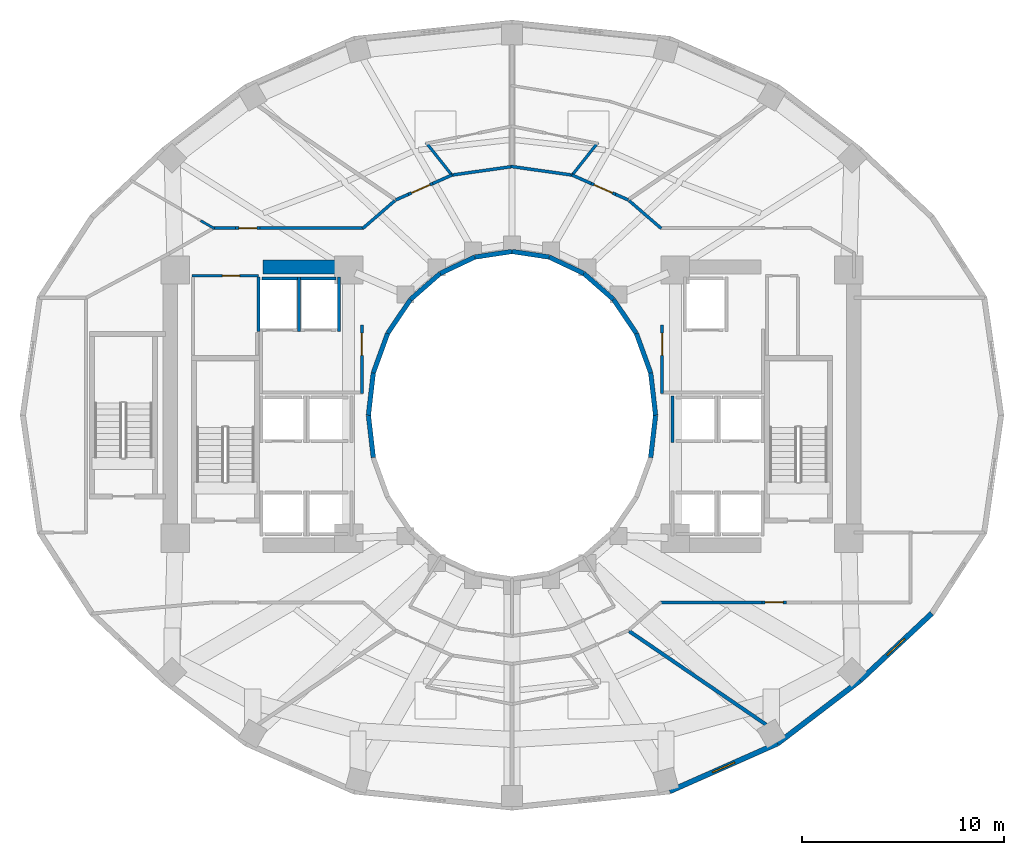
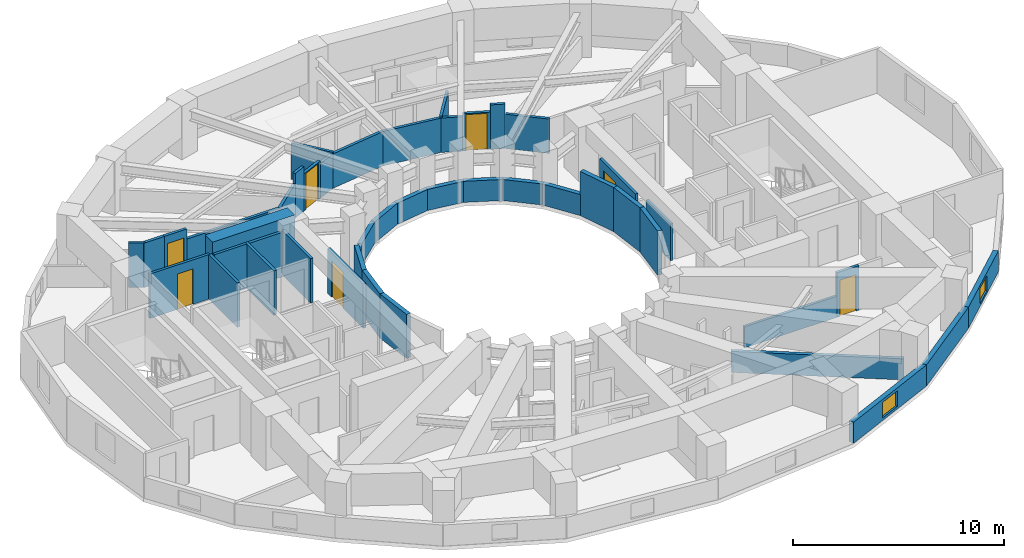
# One storey, part 5 of 9: 46 walls, 7 doors, 2 windows, 9 openings.
"""IFC4 building model written with IfcOpenShell, lengths in metres."""

from ifc_helpers import new_model, si_unit, direction, frame, frame_2d, origin, place, context, subcontext, project, spatial, rectangle, extrude, material, layer, layer_set, type_object, element, fill, save


model = new_model("IFC4")

# Units and contexts
model_context = context("Model", 3, precision=1e-05, world=origin(), true_north=direction((0.0, 1.0)))
body_context = subcontext(model_context, "Body", "Model", "MODEL_VIEW")
ifc_project = project(units=[si_unit("LENGTHUNIT", "METRE"), si_unit("AREAUNIT", "SQUARE_METRE"), si_unit("VOLUMEUNIT", "CUBIC_METRE"), si_unit("PLANEANGLEUNIT", "RADIAN"), si_unit("MASSUNIT", "GRAM", prefix="KILO")], contexts=[model_context])

# Site, building, storey
site_placement = place(None, origin())
site = spatial("IfcSite", under=ifc_project, at=site_placement, CompositionType="ELEMENT")
building_placement = place(site_placement, origin())
building = spatial("IfcBuilding", under=site, at=building_placement, Name="Solvane Sanctuary Tower", CompositionType="ELEMENT")
storey_placement = place(building_placement, frame((0.0, 0.0, 110.39990234375)))
storey = spatial("IfcBuildingStorey", under=building, at=storey_placement, Name="L33", CompositionType="ELEMENT", Elevation=110.39990234375)

# Wall
ifc_material_1 = material(Name="Concrete C60/75", Category="concrete")
ifc_layer_1 = layer(ifc_material_1, 0.699951171875, Name="Concrete C60/75")
ifc_layer_set_1 = layer_set([ifc_layer_1], Name="Concrete C60/75")
wall_type_1 = type_object("IfcWallType", Name="Wall W-CORE-700", PredefinedType="SHEAR", material=ifc_layer_set_1)
wall_1_placement = place(storey_placement, frame((19.64990234375, 30.35009765625, 0.0), z_axis=(0.0, 0.0, 1.0), x_axis=(1.0, 0.0, 0.0)))
element("IfcWall", 1, at=wall_1_placement, inside=storey, type_object=wall_type_1, Name="L33 Core Shear Wall WC-N", PredefinedType="SHEAR", context=body_context, shape_type="SweptSolid", body=[
    extrude(rectangle(XDim=4.5, YDim=0.699951171875, at=frame_2d((2.25, 0.0))), origin(), (0.0, 0.0, 1.0), 3.10009765625),
])

# Wall, opening, door
ifc_material_2 = material(Name="Acoustic Gypsum Partition Board")
ifc_layer_2 = layer(ifc_material_2, 0.14990234375, Name="Acoustic Gypsum Partition Board")
ifc_layer_set_2 = layer_set([ifc_layer_2], Name="Acoustic Gypsum Partition Board")
wall_type_2 = type_object("IfcWallType", Name="Wall W-CORR-150", PredefinedType="PARTITIONING", material=ifc_layer_set_2)
wall_2_placement = place(storey_placement, frame((24.550048828125, 24.080078125, 0.0), z_axis=(0.0, 0.0, 1.0), x_axis=(0.0, 1.0, 0.0)))
wall_2 = element("IfcWall", 2, at=wall_2_placement, inside=storey, type_object=wall_type_2, Name="L33 West Firefighting Lobby East Wall", PredefinedType="PARTITIONING", context=body_context, shape_type="SweptSolid", body=[
    extrude(rectangle(XDim=3.39990234375, YDim=0.14990234375, at=frame_2d((1.699951171875, 0.0))), origin(), (0.0, 0.0, 1.0), 2.5751953125),
])
opening_1_placement = place(wall_2_placement, frame((1.893798828125, 0.0, 0.0)))
opening_1 = element("IfcOpeningElement", 3, at=opening_1_placement, cuts=wall_2, Name="Opening D-L33-04", PredefinedType="OPENING", context=body_context, shape_type="SweptSolid", body=[
    extrude(rectangle(XDim=1.10009765625, YDim=2.10009765625, at=frame_2d((0.550048828125, 1.050048828125))), frame((0.0, 0.0849609375, 0.0), z_axis=(0.0, -1.0, 0.0), x_axis=(1.0, 0.0, 0.0)), (0.0, 0.0, 1.0), 0.169921875),
])
ifc_material_3 = material(Name="Architectural Stainless Steel 316", Category="steel")
door_type_1 = type_object("IfcDoorType", Name="Door D-FFL", OperationType="NOTDEFINED", PredefinedType="DOOR", material=ifc_material_3)
door_1_placement = place(opening_1_placement, origin())
door_1 = element("IfcDoor", 4, at=door_1_placement, inside=storey, type_object=door_type_1, Name="L33 West Firefighting Lobby Fire Door", OperationType="SINGLE_SWING_LEFT", OverallHeight=2.10009765625, OverallWidth=1.10009765625, PredefinedType="DOOR", context=body_context, shape_type="SweptSolid", body=[
    extrude(rectangle(XDim=1.10009765625, YDim=2.10009765625, at=frame_2d((0.550048828125, 1.050048828125))), frame((0.0, 0.02490234375, 0.0), z_axis=(0.0, -1.0, 0.0), x_axis=(1.0, 0.0, 0.0)), (0.0, 0.0, 1.0), 0.050048828125),
])
fill(opening_1, door_1)

wall_3_placement = place(storey_placement, frame((39.449951171875, 24.080078125, 0.0), z_axis=(0.0, 0.0, 1.0), x_axis=(0.0, 1.0, 0.0)))
wall_3 = element("IfcWall", 5, at=wall_3_placement, inside=storey, type_object=wall_type_2, Name="L33 East Firefighting Lobby West Wall", PredefinedType="PARTITIONING", context=body_context, shape_type="SweptSolid", body=[
    extrude(rectangle(XDim=3.39990234375, YDim=0.14990234375, at=frame_2d((1.699951171875, 0.0))), origin(), (0.0, 0.0, 1.0), 2.5751953125),
])
opening_2_placement = place(wall_3_placement, frame((1.893798828125, 0.0, 0.0)))
opening_2 = element("IfcOpeningElement", 6, at=opening_2_placement, cuts=wall_3, Name="Opening D-L33-05", PredefinedType="OPENING", context=body_context, shape_type="SweptSolid", body=[
    extrude(rectangle(XDim=1.10009765625, YDim=2.10009765625, at=frame_2d((0.550048828125, 1.050048828125))), frame((0.0, 0.0849609375, 0.0), z_axis=(0.0, -1.0, 0.0), x_axis=(1.0, 0.0, 0.0)), (0.0, 0.0, 1.0), 0.169921875),
])
door_2_placement = place(opening_2_placement, origin())
door_2 = element("IfcDoor", 7, at=door_2_placement, inside=storey, type_object=door_type_1, Name="L33 East Firefighting Lobby Fire Door", OperationType="SINGLE_SWING_RIGHT", OverallHeight=2.10009765625, OverallWidth=1.10009765625, PredefinedType="DOOR", context=body_context, shape_type="SweptSolid", body=[
    extrude(rectangle(XDim=1.10009765625, YDim=2.10009765625, at=frame_2d((0.550048828125, 1.050048828125))), frame((0.0, 0.02490234375, 0.0), z_axis=(0.0, -1.0, 0.0), x_axis=(1.0, 0.0, 0.0)), (0.0, 0.0, 1.0), 0.050048828125),
])
fill(opening_2, door_2)

# Walls
for number, where, z_axis, x_axis, name in (
    (8, (37.806640625, 33.64208984375, 0.0), (0.0, 0.0, 1.0), (0.756055312247, -0.654507727092, 0.0), "L33 NE Corner Throat Wall"),
    (9, (26.193359375, 33.64208984375, 0.0), (0.0, 0.0, 1.0), (-0.756055312247, -0.654507727092, 0.0), "L33 NW Corner Throat Wall"),
):
    element("IfcWall", number, at=place(storey_placement, frame(where, z_axis=z_axis, x_axis=x_axis)), inside=storey, type_object=wall_type_2, Name=name, PredefinedType="PARTITIONING", context=body_context, shape_type="SweptSolid", body=[
        extrude(rectangle(XDim=2.11083984375, YDim=0.14990234375, at=frame_2d((1.055419921875, 0.0))), origin(), (0.0, 0.0, 1.0), 1.9921875),
    ])
wall_4_placement = place(storey_placement, frame((17.14990234375, 32.280029296875, 0.0), z_axis=(0.0, 0.0, 1.0), x_axis=(1.0, 0.0, 0.0)))
element("IfcWall", 10, at=wall_4_placement, inside=storey, type_object=wall_type_2, Name="L33 NW Corner Corridor Wall", PredefinedType="PARTITIONING", context=body_context, shape_type="SweptSolid", body=[
    extrude(rectangle(XDim=1.14013671875, YDim=0.14990234375, at=frame_2d((0.570068359375, 0.0))), origin(), (0.0, 0.0, 1.0), 2.5751953125),
])

# Wall, opening, door
wall_5_placement = place(storey_placement, frame((18.2900390625, 32.280029296875, 0.0), z_axis=(0.0, 0.0, 1.0), x_axis=(1.0, 0.0, 0.0)))
wall_5 = element("IfcWall", 11, at=wall_5_placement, inside=storey, type_object=wall_type_2, Name="L33 NW Corner Corridor Wall", PredefinedType="PARTITIONING", context=body_context, shape_type="SweptSolid", body=[
    extrude(rectangle(XDim=1.219970703125, YDim=0.14990234375, at=frame_2d((0.60986328125, 0.0))), origin(), (0.0, 0.0, 1.0), 2.5751953125),
])
opening_3_placement = place(wall_5_placement, frame((0.159912109375, 0.0, 0.0)))
opening_3 = element("IfcOpeningElement", 12, at=opening_3_placement, cuts=wall_5, Name="Opening D-L33-12", PredefinedType="OPENING", context=body_context, shape_type="SweptSolid", body=[
    extrude(rectangle(XDim=0.89990234375, YDim=2.10009765625, at=frame_2d((0.449951171875, 1.050048828125))), frame((0.0, 0.0849609375, 0.0), z_axis=(0.0, -1.0, 0.0), x_axis=(1.0, 0.0, 0.0)), (0.0, 0.0, 1.0), 0.169921875),
])
ifc_material_4 = material(Name="Engineered Tropical Hardwood", Category="wood")
door_type_2 = type_object("IfcDoorType", Name="Door D-WET-900", OperationType="NOTDEFINED", PredefinedType="DOOR", material=ifc_material_4)
door_3_placement = place(opening_3_placement, origin())
door_3 = element("IfcDoor", 13, at=door_3_placement, inside=storey, type_object=door_type_2, Name="L33 NW Corner Salon Door", OperationType="SINGLE_SWING_LEFT", OverallHeight=2.10009765625, OverallWidth=0.89990234375, PredefinedType="DOOR", context=body_context, shape_type="SweptSolid", body=[
    extrude(rectangle(XDim=0.89990234375, YDim=2.10009765625, at=frame_2d((0.449951171875, 1.050048828125))), frame((0.0, 0.02490234375, 0.0), z_axis=(0.0, -1.0, 0.0), x_axis=(1.0, 0.0, 0.0)), (0.0, 0.0, 1.0), 0.050048828125),
])
fill(opening_3, door_3)

# Walls
wall_6_placement = place(storey_placement, frame((19.510009765625, 32.280029296875, 0.0), z_axis=(0.0, 0.0, 1.0), x_axis=(1.0, 0.0, 0.0)))
element("IfcWall", 14, at=wall_6_placement, inside=storey, type_object=wall_type_2, Name="L33 NW Corner Corridor Wall", PredefinedType="PARTITIONING", context=body_context, shape_type="SweptSolid", body=[
    extrude(rectangle(XDim=5.159912109375, YDim=0.14990234375, at=frame_2d((2.580078125, 0.0))), origin(), (0.0, 0.0, 1.0), 1.9921875),
])
wall_7_placement = place(storey_placement, frame((39.330078125, 13.719970703125, 0.0), z_axis=(0.0, 0.0, 1.0), x_axis=(1.0, 0.0, 0.0)))
element("IfcWall", 15, at=wall_7_placement, inside=storey, type_object=wall_type_2, Name="L33 SE Corner Corridor Wall", PredefinedType="PARTITIONING", context=body_context, shape_type="SweptSolid", body=[
    extrude(rectangle(XDim=5.059814453125, YDim=0.14990234375, at=frame_2d((2.52978515625, 0.0))), origin(), (0.0, 0.0, 1.0), 1.22021484375),
])

# Wall, opening, door
wall_8_placement = place(storey_placement, frame((44.389892578125, 13.719970703125, 0.0), z_axis=(0.0, 0.0, 1.0), x_axis=(1.0, 0.0, 0.0)))
wall_8 = element("IfcWall", 16, at=wall_8_placement, inside=storey, type_object=wall_type_2, Name="L33 SE Corner Corridor Wall", PredefinedType="PARTITIONING", context=body_context, shape_type="SweptSolid", body=[
    extrude(rectangle(XDim=1.22021484375, YDim=0.14990234375, at=frame_2d((0.610107421875, 0.0))), origin(), (0.0, 0.0, 1.0), 2.5751953125),
])
opening_4_placement = place(wall_8_placement, frame((0.159912109375, 0.0, 0.0)))
opening_4 = element("IfcOpeningElement", 17, at=opening_4_placement, cuts=wall_8, Name="Opening D-L33-14", PredefinedType="OPENING", context=body_context, shape_type="SweptSolid", body=[
    extrude(rectangle(XDim=0.89990234375, YDim=2.10009765625, at=frame_2d((0.449951171875, 1.050048828125))), frame((0.0, 0.0849609375, 0.0), z_axis=(0.0, -1.0, 0.0), x_axis=(1.0, 0.0, 0.0)), (0.0, 0.0, 1.0), 0.169921875),
])
door_4_placement = place(opening_4_placement, origin())
door_4 = element("IfcDoor", 18, at=door_4_placement, inside=storey, type_object=door_type_2, Name="L33 SE Corner Salon Door", OperationType="SINGLE_SWING_LEFT", OverallHeight=2.10009765625, OverallWidth=0.89990234375, PredefinedType="DOOR", context=body_context, shape_type="SweptSolid", body=[
    extrude(rectangle(XDim=0.89990234375, YDim=2.10009765625, at=frame_2d((0.449951171875, 1.050048828125))), frame((0.0, 0.02490234375, 0.0), z_axis=(0.0, -1.0, 0.0), x_axis=(1.0, 0.0, 0.0)), (0.0, 0.0, 1.0), 0.050048828125),
])
fill(opening_4, door_4)

# Walls
wall_9_placement = place(storey_placement, frame((35.03369140625, 34.90283203125, 0.0), z_axis=(0.0, 0.0, 1.0), x_axis=(-0.990234434447, 0.139412211929, 0.0)))
element("IfcWall", 19, at=wall_9_placement, inside=storey, type_object=wall_type_2, Name="L33 En-suite Inner Wall N1", PredefinedType="PARTITIONING", context=body_context, shape_type="SweptSolid", body=[
    extrude(rectangle(XDim=3.11376953125, YDim=0.14990234375, at=frame_2d((1.556884765625, 0.0))), origin(), (0.0, 0.0, 1.0), 1.9921875),
])
wall_10_placement = place(storey_placement, frame((37.77197265625, 33.673828125, 0.0), z_axis=(0.0, 0.0, 1.0), x_axis=(-0.914415935028, 0.404775861148, 0.0)))
element("IfcWall", 20, at=wall_10_placement, inside=storey, type_object=wall_type_2, Name="L33 Unit Corridor Wall N1", PredefinedType="PARTITIONING", context=body_context, shape_type="SweptSolid", body=[
    extrude(rectangle(XDim=0.698486328125, YDim=0.14990234375, at=frame_2d((0.34912109375, 0.0))), origin(), (0.0, 0.0, 1.0), 2.5751953125),
])

# Wall, opening, door
wall_11_placement = place(storey_placement, frame((37.13330078125, 33.95654296875, 0.0), z_axis=(0.0, 0.0, 1.0), x_axis=(-0.914283830307, 0.405074163134, 0.0)))
wall_11 = element("IfcWall", 21, at=wall_11_placement, inside=storey, type_object=wall_type_2, Name="L33 Unit Corridor Wall N1", PredefinedType="PARTITIONING", context=body_context, shape_type="SweptSolid", body=[
    extrude(rectangle(XDim=1.31982421875, YDim=0.14990234375, at=frame_2d((0.659912109375, 0.0))), origin(), (0.0, 0.0, 1.0), 2.16015625),
])
opening_5_placement = place(wall_11_placement, frame((0.159912109375, 0.0, 0.0)))
opening_5 = element("IfcOpeningElement", 22, at=opening_5_placement, cuts=wall_11, Name="Opening D-L33-19", PredefinedType="OPENING", context=body_context, shape_type="SweptSolid", body=[
    extrude(rectangle(XDim=1.0, YDim=2.10009765625, at=frame_2d((0.5, 1.050048828125))), frame((0.0, 0.0849609375, 0.0), z_axis=(0.0, -1.0, 0.0), x_axis=(1.0, 0.0, 0.0)), (0.0, 0.0, 1.0), 0.169921875),
])
door_type_3 = type_object("IfcDoorType", Name="Door D-UNIT", OperationType="NOTDEFINED", PredefinedType="DOOR", material=ifc_material_4)
door_5_placement = place(opening_5_placement, origin())
door_5 = element("IfcDoor", 23, at=door_5_placement, inside=storey, type_object=door_type_3, Name="L33 Unit Entrance Door N1", OperationType="SINGLE_SWING_RIGHT", OverallHeight=2.10009765625, OverallWidth=1.0, PredefinedType="DOOR", context=body_context, shape_type="SweptSolid", body=[
    extrude(rectangle(XDim=1.0, YDim=2.10009765625, at=frame_2d((0.5, 1.050048828125))), frame((0.0, 0.02490234375, 0.0), z_axis=(0.0, -1.0, 0.0), x_axis=(1.0, 0.0, 0.0)), (0.0, 0.0, 1.0), 0.050048828125),
])
fill(opening_5, door_5)

# Walls
wall_12_placement = place(storey_placement, frame((35.926513671875, 34.4912109375, 0.0), z_axis=(0.0, 0.0, 1.0), x_axis=(-0.914314594958, 0.405004717808, 0.0)))
element("IfcWall", 24, at=wall_12_placement, inside=storey, type_object=wall_type_2, Name="L33 Unit Corridor Wall N1", PredefinedType="PARTITIONING", context=body_context, shape_type="SweptSolid", body=[
    extrude(rectangle(XDim=1.039306640625, YDim=0.14990234375, at=frame_2d((0.51953125, 0.0))), origin(), (0.0, 0.0, 1.0), 1.9921875),
])
wall_13_placement = place(storey_placement, frame((32.049560546875, 35.3369140625, 0.0), z_axis=(0.0, 0.0, 1.0), x_axis=(-0.990234434447, -0.139412211929, 0.0)))
element("IfcWall", 25, at=wall_13_placement, inside=storey, type_object=wall_type_2, Name="L33 En-suite Inner Wall N2", PredefinedType="PARTITIONING", context=body_context, shape_type="SweptSolid", body=[
    extrude(rectangle(XDim=3.11376953125, YDim=0.14990234375, at=frame_2d((1.556884765625, 0.0))), origin(), (0.0, 0.0, 1.0), 1.9921875),
])
wall_14_placement = place(storey_placement, frame((29.023681640625, 34.912109375, 0.0), z_axis=(0.0, 0.0, 1.0), x_axis=(-0.914314594958, -0.405004717808, 0.0)))
element("IfcWall", 26, at=wall_14_placement, inside=storey, type_object=wall_type_2, Name="L33 Unit Corridor Wall N2", PredefinedType="PARTITIONING", context=body_context, shape_type="SweptSolid", body=[
    extrude(rectangle(XDim=1.039306640625, YDim=0.14990234375, at=frame_2d((0.51953125, 0.0))), origin(), (0.0, 0.0, 1.0), 1.9921875),
])

# Wall, opening, door
wall_15_placement = place(storey_placement, frame((28.073486328125, 34.4912109375, 0.0), z_axis=(0.0, 0.0, 1.0), x_axis=(-0.914314172667, -0.405005671145, 0.0)))
wall_15 = element("IfcWall", 27, at=wall_15_placement, inside=storey, type_object=wall_type_2, Name="L33 Unit Corridor Wall N2", PredefinedType="PARTITIONING", context=body_context, shape_type="SweptSolid", body=[
    extrude(rectangle(XDim=1.320068359375, YDim=0.14990234375, at=frame_2d((0.66015625, 0.0))), origin(), (0.0, 0.0, 1.0), 2.16015625),
])
opening_6_placement = place(wall_15_placement, frame((0.159912109375, 0.0, 0.0)))
opening_6 = element("IfcOpeningElement", 28, at=opening_6_placement, cuts=wall_15, Name="Opening D-L33-21", PredefinedType="OPENING", context=body_context, shape_type="SweptSolid", body=[
    extrude(rectangle(XDim=1.0, YDim=2.10009765625, at=frame_2d((0.5, 1.050048828125))), frame((0.0, 0.0849609375, 0.0), z_axis=(0.0, -1.0, 0.0), x_axis=(1.0, 0.0, 0.0)), (0.0, 0.0, 1.0), 0.169921875),
])
door_6_placement = place(opening_6_placement, origin())
door_6 = element("IfcDoor", 29, at=door_6_placement, inside=storey, type_object=door_type_3, Name="L33 Unit Entrance Door N2", OperationType="SINGLE_SWING_RIGHT", OverallHeight=2.10009765625, OverallWidth=1.0, PredefinedType="DOOR", context=body_context, shape_type="SweptSolid", body=[
    extrude(rectangle(XDim=1.0, YDim=2.10009765625, at=frame_2d((0.5, 1.050048828125))), frame((0.0, 0.02490234375, 0.0), z_axis=(0.0, -1.0, 0.0), x_axis=(1.0, 0.0, 0.0)), (0.0, 0.0, 1.0), 0.050048828125),
])
fill(opening_6, door_6)

# Wall
wall_16_placement = place(storey_placement, frame((26.866455078125, 33.95654296875, 0.0), z_axis=(0.0, 0.0, 1.0), x_axis=(-0.914358636493, -0.404905277652, 0.0)))
element("IfcWall", 30, at=wall_16_placement, inside=storey, type_object=wall_type_2, Name="L33 Unit Corridor Wall N2", PredefinedType="PARTITIONING", context=body_context, shape_type="SweptSolid", body=[
    extrude(rectangle(XDim=0.6982421875, YDim=0.14990234375, at=frame_2d((0.34912109375, 0.0))), origin(), (0.0, 0.0, 1.0), 2.5751953125),
])

# Wall, opening, window
ifc_material_5 = material(Name="Precast concrete C40/50", Category="concrete")
ifc_layer_3 = layer(ifc_material_5, 0.260009765625, Name="Precast concrete C40/50")
ifc_layer_set_3 = layer_set([ifc_layer_3], Name="Precast concrete C40/50")
wall_type_3 = type_object("IfcWallType", Name="Wall W-EXT-250", PredefinedType="STANDARD", material=ifc_layer_set_3)
wall_17_placement = place(storey_placement, frame((39.81640625, 4.349365234375, 0.0), z_axis=(0.0, 0.0, 1.0), x_axis=(0.914336605747, 0.404955023911, 0.0)))
wall_17 = element("IfcWall", 31, at=wall_17_placement, inside=storey, type_object=wall_type_3, Name="L33 Ceramic-Printed Facade Wall 19", PredefinedType="STANDARD", context=body_context, shape_type="SweptSolid", body=[
    extrude(rectangle(XDim=5.85888671875, YDim=0.260009765625, at=frame_2d((2.929443359375, 0.0))), origin(), (0.0, 0.0, 1.0), 1.22021484375),
])
opening_7_placement = place(wall_17_placement, frame((2.329345703125, 0.0, 0.14990234375)))
opening_7 = element("IfcOpeningElement", 32, at=opening_7_placement, cuts=wall_17, Name="Opening WN-OPER-1200", PredefinedType="OPENING", context=body_context, shape_type="SweptSolid", body=[
    extrude(rectangle(XDim=1.199951171875, YDim=0.89990234375, at=frame_2d((0.60009765625, 0.449951171875))), frame((0.0, 0.139892578125, 0.0), z_axis=(0.0, -1.0, 0.0), x_axis=(1.0, 0.0, 0.0)), (0.0, 0.0, 1.0), 0.280029296875),
])
ifc_material_6 = material(Name="Dark Ceramic-Fritted Low-E Glass", Category="glass")
window_type = type_object("IfcWindowType", Name="Window WN-OPER-1200", PartitioningType="SINGLE_PANEL", PredefinedType="WINDOW", material=ifc_material_6)
window_1_placement = place(opening_7_placement, origin())
window_1 = element("IfcWindow", 33, at=window_1_placement, inside=storey, type_object=window_type, Name="L33 Operable Facade Window 19", OverallHeight=0.89990234375, OverallWidth=1.199951171875, PartitioningType="SINGLE_PANEL", PredefinedType="WINDOW", context=body_context, shape_type="SweptSolid", body=[
    extrude(rectangle(XDim=1.199951171875, YDim=0.89990234375, at=frame_2d((0.60009765625, 0.449951171875))), frame((0.0, 0.030029296875, 0.0), z_axis=(0.0, -1.0, 0.0), x_axis=(1.0, 0.0, 0.0)), (0.0, 0.0, 1.0), 0.06005859375),
])
fill(opening_7, window_1)

# Wall
wall_18_placement = place(storey_placement, frame((45.17333984375, 6.721923828125, 0.0), z_axis=(0.0, 0.0, 1.0), x_axis=(0.794809810864, 0.606858603427, 0.0)))
element("IfcWall", 34, at=wall_18_placement, inside=storey, type_object=wall_type_3, Name="L33 Ceramic-Printed Facade Wall 20", PredefinedType="STANDARD", context=body_context, shape_type="SweptSolid", body=[
    extrude(rectangle(XDim=5.149169921875, YDim=0.260009765625, at=frame_2d((2.57470703125, 0.0))), origin(), (0.0, 0.0, 1.0), 1.22021484375),
])

# Wall, opening, window
wall_19_placement = place(storey_placement, frame((49.265869140625, 9.8466796875, 0.0), z_axis=(0.0, 0.0, 1.0), x_axis=(0.730162452258, 0.68327358599, 0.0)))
wall_19 = element("IfcWall", 35, at=wall_19_placement, inside=storey, type_object=wall_type_3, Name="L33 Ceramic-Printed Facade Wall 21", PredefinedType="STANDARD", context=body_context, shape_type="SweptSolid", body=[
    extrude(rectangle(XDim=4.868408203125, YDim=0.260009765625, at=frame_2d((2.43408203125, 0.0))), origin(), (0.0, 0.0, 1.0), 1.22021484375),
])
opening_8_placement = place(wall_19_placement, frame((1.834228515625, 0.0, 0.14990234375)))
opening_8 = element("IfcOpeningElement", 36, at=opening_8_placement, cuts=wall_19, Name="Opening WN-OPER-1200", PredefinedType="OPENING", context=body_context, shape_type="SweptSolid", body=[
    extrude(rectangle(XDim=1.199951171875, YDim=0.89990234375, at=frame_2d((0.60009765625, 0.449951171875))), frame((0.0, 0.139892578125, 0.0), z_axis=(0.0, -1.0, 0.0), x_axis=(1.0, 0.0, 0.0)), (0.0, 0.0, 1.0), 0.280029296875),
])
window_2_placement = place(opening_8_placement, origin())
window_2 = element("IfcWindow", 37, at=window_2_placement, inside=storey, type_object=window_type, Name="L33 Operable Facade Window 21", OverallHeight=0.89990234375, OverallWidth=1.199951171875, PartitioningType="SINGLE_PANEL", PredefinedType="WINDOW", context=body_context, shape_type="SweptSolid", body=[
    extrude(rectangle(XDim=1.199951171875, YDim=0.89990234375, at=frame_2d((0.60009765625, 0.449951171875))), frame((0.0, 0.030029296875, 0.0), z_axis=(0.0, -1.0, 0.0), x_axis=(1.0, 0.0, 0.0)), (0.0, 0.0, 1.0), 0.06005859375),
])
fill(opening_8, window_2)

# Walls
ifc_layer_4 = layer(ifc_material_5, 0.22998046875, Name="Precast concrete C40/50")
ifc_layer_set_4 = layer_set([ifc_layer_4], Name="Precast concrete C40/50")
wall_type_4 = type_object("IfcWallType", Name="Wall W-EXT-SP220", PredefinedType="STANDARD", material=ifc_layer_set_4)
wall_20_placement = place(storey_placement, frame((39.1201171875, 23.0, 0.0), z_axis=(0.0, 0.0, 1.0), x_axis=(-0.114711713601, 0.993398823617, 0.0)))
element("IfcWall", 38, at=wall_20_placement, inside=storey, type_object=wall_type_4, Name="L33 Central Light-Well Wall 00", PredefinedType="STANDARD", context=body_context, shape_type="SweptSolid", body=[
    extrude(rectangle(XDim=2.115478515625, YDim=0.22998046875, at=frame_2d((1.0576171875, 0.0))), origin(), (0.0, 0.0, 1.0), 2.56005859375),
])
wall_21_placement = place(storey_placement, frame((38.87744140625, 25.1015625, 0.0), z_axis=(0.0, 0.0, 1.0), x_axis=(-0.341423187295, 0.93990968033, 0.0)))
element("IfcWall", 39, at=wall_21_placement, inside=storey, type_object=wall_type_4, Name="L33 Central Light-Well Wall 01", PredefinedType="STANDARD", context=body_context, shape_type="SweptSolid", body=[
    extrude(rectangle(XDim=2.083740234375, YDim=0.22998046875, at=frame_2d((1.0419921875, 0.0))), origin(), (0.0, 0.0, 1.0), 2.56005859375),
])
wall_22_placement = place(storey_placement, frame((38.166015625, 27.06005859375, 0.0), z_axis=(0.0, 0.0, 1.0), x_axis=(-0.558197800898, 0.829707909492, 0.0)))
element("IfcWall", 40, at=wall_22_placement, inside=storey, type_object=wall_type_4, Name="L33 Central Light-Well Wall 02", PredefinedType="STANDARD", context=body_context, shape_type="SweptSolid", body=[
    extrude(rectangle(XDim=2.02685546875, YDim=0.22998046875, at=frame_2d((1.013427734375, 0.0))), origin(), (0.0, 0.0, 1.0), 1.22021484375),
])
wall_23_placement = place(storey_placement, frame((37.03466796875, 28.74169921875, 0.0), z_axis=(0.0, 0.0, 1.0), x_axis=(-0.752576694707, 0.658504607869, 0.0)))
element("IfcWall", 41, at=wall_23_placement, inside=storey, type_object=wall_type_4, Name="L33 Central Light-Well Wall 03", PredefinedType="STANDARD", context=body_context, shape_type="SweptSolid", body=[
    extrude(rectangle(XDim=1.95947265625, YDim=0.22998046875, at=frame_2d((0.979736328125, 0.0))), origin(), (0.0, 0.0, 1.0), 1.22021484375),
])
wall_24_placement = place(storey_placement, frame((35.56005859375, 30.031982421875, 0.0), z_axis=(0.0, 0.0, 1.0), x_axis=(-0.904179699603, 0.427152280606, 0.0)))
element("IfcWall", 42, at=wall_24_placement, inside=storey, type_object=wall_type_4, Name="L33 Central Light-Well Wall 04", PredefinedType="STANDARD", context=body_context, shape_type="SweptSolid", body=[
    extrude(rectangle(XDim=1.899169921875, YDim=0.22998046875, at=frame_2d((0.94970703125, 0.0))), origin(), (0.0, 0.0, 1.0), 1.22021484375),
])
for number, where, z_axis, x_axis, name in (
    (43, (33.8427734375, 30.84326171875, 0.0), (0.0, 0.0, 1.0), (-0.988901730308, 0.148571086668, 0.0), "L33 Central Light-Well Wall 05"),
    (44, (32.0, 31.1201171875, 0.0), (0.0, 0.0, 1.0), (-0.988901730308, -0.148571086668, 0.0), "L33 Central Light-Well Wall 06"),
):
    element("IfcWall", number, at=place(storey_placement, frame(where, z_axis=z_axis, x_axis=x_axis)), inside=storey, type_object=wall_type_4, Name=name, PredefinedType="STANDARD", context=body_context, shape_type="SweptSolid", body=[
        extrude(rectangle(XDim=1.863525390625, YDim=0.22998046875, at=frame_2d((0.931640625, 0.0))), origin(), (0.0, 0.0, 1.0), 1.22021484375),
    ])
wall_25_placement = place(storey_placement, frame((30.1572265625, 30.84326171875, 0.0), z_axis=(0.0, 0.0, 1.0), x_axis=(-0.904179699603, -0.427152280606, 0.0)))
element("IfcWall", 45, at=wall_25_placement, inside=storey, type_object=wall_type_4, Name="L33 Central Light-Well Wall 07", PredefinedType="STANDARD", context=body_context, shape_type="SweptSolid", body=[
    extrude(rectangle(XDim=1.899169921875, YDim=0.22998046875, at=frame_2d((0.94970703125, 0.0))), origin(), (0.0, 0.0, 1.0), 1.22021484375),
])
wall_26_placement = place(storey_placement, frame((28.43994140625, 30.031982421875, 0.0), z_axis=(0.0, 0.0, 1.0), x_axis=(-0.752576694707, -0.658504607869, 0.0)))
element("IfcWall", 46, at=wall_26_placement, inside=storey, type_object=wall_type_4, Name="L33 Central Light-Well Wall 08", PredefinedType="STANDARD", context=body_context, shape_type="SweptSolid", body=[
    extrude(rectangle(XDim=1.95947265625, YDim=0.22998046875, at=frame_2d((0.979736328125, 0.0))), origin(), (0.0, 0.0, 1.0), 1.22021484375),
])
wall_27_placement = place(storey_placement, frame((26.96533203125, 28.74169921875, 0.0), z_axis=(0.0, 0.0, 1.0), x_axis=(-0.558197800898, -0.829707909492, 0.0)))
element("IfcWall", 47, at=wall_27_placement, inside=storey, type_object=wall_type_4, Name="L33 Central Light-Well Wall 09", PredefinedType="STANDARD", context=body_context, shape_type="SweptSolid", body=[
    extrude(rectangle(XDim=2.02685546875, YDim=0.22998046875, at=frame_2d((1.013427734375, 0.0))), origin(), (0.0, 0.0, 1.0), 1.22021484375),
])
wall_28_placement = place(storey_placement, frame((25.833984375, 27.06005859375, 0.0), z_axis=(0.0, 0.0, 1.0), x_axis=(-0.341423187295, -0.93990968033, 0.0)))
element("IfcWall", 48, at=wall_28_placement, inside=storey, type_object=wall_type_4, Name="L33 Central Light-Well Wall 10", PredefinedType="STANDARD", context=body_context, shape_type="SweptSolid", body=[
    extrude(rectangle(XDim=2.083740234375, YDim=0.22998046875, at=frame_2d((1.0419921875, 0.0))), origin(), (0.0, 0.0, 1.0), 2.56005859375),
])
for number, where, z_axis, x_axis, name in (
    (49, (25.12255859375, 25.1015625, 0.0), (0.0, 0.0, 1.0), (-0.114711713601, -0.993398823617, 0.0), "L33 Central Light-Well Wall 11"),
    (50, (24.8798828125, 23.0, 0.0), (0.0, 0.0, 1.0), (0.114711713601, -0.993398823617, 0.0), "L33 Central Light-Well Wall 12"),
    (51, (38.87744140625, 20.8984375, 0.0), (0.0, 0.0, 1.0), (0.114711713601, 0.993398823617, 0.0), "L33 Central Light-Well Wall 23"),
):
    element("IfcWall", number, at=place(storey_placement, frame(where, z_axis=z_axis, x_axis=x_axis)), inside=storey, type_object=wall_type_4, Name=name, PredefinedType="STANDARD", context=body_context, shape_type="SweptSolid", body=[
        extrude(rectangle(XDim=2.115478515625, YDim=0.22998046875, at=frame_2d((1.0576171875, 0.0))), origin(), (0.0, 0.0, 1.0), 2.56005859375),
    ])
ifc_layer_5 = layer(ifc_material_2, 0.1201171875, Name="Acoustic Gypsum Partition Board")
ifc_layer_set_5 = layer_set([ifc_layer_5], Name="Acoustic Gypsum Partition Board")
wall_type_5 = type_object("IfcWallType", Name="Wall W-MOV-100", PredefinedType="MOVABLE", material=ifc_layer_set_5)
wall_29_placement = place(storey_placement, frame((17.243408203125, 32.2548828125, 0.0), z_axis=(0.0, 0.0, 1.0), x_axis=(-0.866356808075, 0.499425551111, 0.0)))
element("IfcWall", 52, at=wall_29_placement, inside=storey, type_object=wall_type_5, Name="L33 NW Corner Suite Partition", PredefinedType="MOVABLE", context=body_context, shape_type="SweptSolid", body=[
    extrude(rectangle(XDim=0.783203125, YDim=0.1201171875, at=frame_2d((0.3916015625, 0.0))), origin(), (0.0, 0.0, 1.0), 2.5751953125),
])
ifc_material_7 = material(Name="Concrete C50/60", Category="concrete")
ifc_layer_6 = layer(ifc_material_7, 0.14990234375, Name="Concrete C50/60")
ifc_layer_set_6 = layer_set([ifc_layer_6], Name="Concrete C50/60")
wall_type_6 = type_object("IfcWallType", Name="Wall W-SHAFT-150", PredefinedType="SOLIDWALL", material=ifc_layer_set_6)
wall_30_placement = place(storey_placement, frame((39.969970703125, 21.639892578125, 0.0), z_axis=(0.0, 0.0, 1.0), x_axis=(0.0, 1.0, 0.0)))
element("IfcWall", 53, at=wall_30_placement, inside=storey, type_object=wall_type_6, Name="L33 PH-2 Lift Shaft Wall S1", PredefinedType="SOLIDWALL", context=body_context, shape_type="SweptSolid", body=[
    extrude(rectangle(XDim=2.320068359375, YDim=0.14990234375, at=frame_2d((1.16015625, 0.0))), origin(), (0.0, 0.0, 1.0), 2.1201171875),
])
wall_31_placement = place(storey_placement, frame((19.590087890625, 29.780029296875, 0.0), z_axis=(0.0, 0.0, 1.0), x_axis=(1.0, 0.0, 0.0)))
element("IfcWall", 54, at=wall_31_placement, inside=storey, type_object=wall_type_6, Name="L33 FFL-1 Lift Shaft Wall B", PredefinedType="SOLIDWALL", context=body_context, shape_type="SweptSolid", body=[
    extrude(rectangle(XDim=1.760009765625, YDim=0.14990234375, at=frame_2d((0.8798828125, 0.0))), origin(), (0.0, 0.0, 1.0), 2.5751953125),
])
for number, where, z_axis, x_axis, name in (
    (55, (19.419921875, 27.139892578125, 0.0), (0.0, 0.0, 1.0), (0.0, 1.0, 0.0), "L33 FFL-1 Lift Shaft Wall S1"),
    (56, (21.425048828125, 27.139892578125, 0.0), (0.0, 0.0, 1.0), (0.0, 1.0, 0.0), "L33 FFL-1 Lift Shaft Wall S2"),
):
    element("IfcWall", number, at=place(storey_placement, frame(where, z_axis=z_axis, x_axis=x_axis)), inside=storey, type_object=wall_type_6, Name=name, PredefinedType="SOLIDWALL", context=body_context, shape_type="SweptSolid", body=[
        extrude(rectangle(XDim=2.72021484375, YDim=0.14990234375, at=frame_2d((1.360107421875, 0.0))), origin(), (0.0, 0.0, 1.0), 2.5751953125),
    ])
wall_32_placement = place(storey_placement, frame((21.5, 29.780029296875, 0.0), z_axis=(0.0, 0.0, 1.0), x_axis=(1.0, 0.0, 0.0)))
element("IfcWall", 57, at=wall_32_placement, inside=storey, type_object=wall_type_6, Name="L33 SVL-1 Lift Shaft Wall B", PredefinedType="SOLIDWALL", context=body_context, shape_type="SweptSolid", body=[
    extrude(rectangle(XDim=1.760009765625, YDim=0.14990234375, at=frame_2d((0.8798828125, 0.0))), origin(), (0.0, 0.0, 1.0), 2.5751953125),
])
wall_33_placement = place(storey_placement, frame((23.429931640625, 27.139892578125, 0.0), z_axis=(0.0, 0.0, 1.0), x_axis=(0.0, 1.0, 0.0)))
element("IfcWall", 58, at=wall_33_placement, inside=storey, type_object=wall_type_6, Name="L33 SVL-1 Lift Shaft Wall S2", PredefinedType="SOLIDWALL", context=body_context, shape_type="SweptSolid", body=[
    extrude(rectangle(XDim=2.72021484375, YDim=0.14990234375, at=frame_2d((1.360107421875, 0.0))), origin(), (0.0, 0.0, 1.0), 2.5751953125),
])
ifc_layer_7 = layer(ifc_material_2, 0.179931640625, Name="Acoustic Gypsum Partition Board")
ifc_layer_set_7 = layer_set([ifc_layer_7], Name="Acoustic Gypsum Partition Board")
wall_type_7 = type_object("IfcWallType", Name="Wall W-UNIT-180", PredefinedType="PARTITIONING", material=ifc_layer_set_7)
wall_34_placement = place(storey_placement, frame((37.810302734375, 12.291015625, 0.0), z_axis=(0.0, 0.0, 1.0), x_axis=(0.825850521911, -0.563889098546, 0.0)))
element("IfcWall", 59, at=wall_34_placement, inside=storey, type_object=wall_type_7, Name="L33 Radial Compartment Wall 300", PredefinedType="PARTITIONING", context=body_context, shape_type="SweptSolid", body=[
    extrude(rectangle(XDim=8.228271484375, YDim=0.179931640625, at=frame_2d((4.1142578125, 0.0))), origin(), (0.0, 0.0, 1.0), 1.22021484375),
])

# Wall, opening, door
ifc_layer_8 = layer(ifc_material_2, 0.139892578125, Name="Acoustic Gypsum Partition Board")
ifc_layer_set_8 = layer_set([ifc_layer_8], Name="Acoustic Gypsum Partition Board")
wall_type_8 = type_object("IfcWallType", Name="Wall W-WET-140", PredefinedType="PLUMBINGWALL", material=ifc_layer_set_8)
wall_35_placement = place(storey_placement, frame((16.1201171875, 29.919921875, 0.0), z_axis=(0.0, 0.0, 1.0), x_axis=(1.0, 0.0, 0.0)))
wall_35 = element("IfcWall", 60, at=wall_35_placement, inside=storey, type_object=wall_type_8, Name="L33 Core Service Front Wall KW0", PredefinedType="PLUMBINGWALL", context=body_context, shape_type="SweptSolid", body=[
    extrude(rectangle(XDim=3.2998046875, YDim=0.139892578125, at=frame_2d((1.64990234375, 0.0))), origin(), (0.0, 0.0, 1.0), 2.5751953125),
])
opening_9_placement = place(wall_35_placement, frame((1.515869140625, 0.0, 0.0)))
opening_9 = element("IfcOpeningElement", 61, at=opening_9_placement, cuts=wall_35, Name="Opening D-L33-06", PredefinedType="OPENING", context=body_context, shape_type="SweptSolid", body=[
    extrude(rectangle(XDim=0.85009765625, YDim=2.050048828125, at=frame_2d((0.425048828125, 1.02490234375))), frame((0.0, 0.079833984375, 0.0), z_axis=(0.0, -1.0, 0.0), x_axis=(1.0, 0.0, 0.0)), (0.0, 0.0, 1.0), 0.159912109375),
])
door_type_4 = type_object("IfcDoorType", Name="Door D-RISER", OperationType="NOTDEFINED", PredefinedType="DOOR", material=ifc_material_3)
door_7_placement = place(opening_9_placement, origin())
door_7 = element("IfcDoor", 62, at=door_7_placement, inside=storey, type_object=door_type_4, Name="L33 Core Service Room Door KW0-1", OperationType="SINGLE_SWING_LEFT", OverallHeight=2.050048828125, OverallWidth=0.85009765625, PredefinedType="DOOR", context=body_context, shape_type="SweptSolid", body=[
    extrude(rectangle(XDim=0.85009765625, YDim=2.050048828125, at=frame_2d((0.425048828125, 1.02490234375))), frame((0.0, 0.02490234375, 0.0), z_axis=(0.0, -1.0, 0.0), x_axis=(1.0, 0.0, 0.0)), (0.0, 0.0, 1.0), 0.050048828125),
])
fill(opening_9, door_7)

# Walls
for number, where, z_axis, x_axis, name in (
    (63, (34.953125, 34.87060546875, 0.0), (0.0, 0.0, 1.0), (0.620702944366, 0.784045824462, 0.0), "L33 En-suite Side Partition N1"),
    (64, (29.046875, 34.87060546875, 0.0), (0.0, 0.0, 1.0), (-0.620702944366, 0.784045824462, 0.0), "L33 En-suite Side Partition N2"),
):
    element("IfcWall", number, at=place(storey_placement, frame(where, z_axis=z_axis, x_axis=x_axis)), inside=storey, type_object=wall_type_8, Name=name, PredefinedType="PLUMBINGWALL", context=body_context, shape_type="SweptSolid", body=[
        extrude(rectangle(XDim=2.10009765625, YDim=0.139892578125, at=frame_2d((1.050048828125, 0.0))), origin(), (0.0, 0.0, 1.0), 2.10498046875),
    ])

save(model, "model.ifc")
